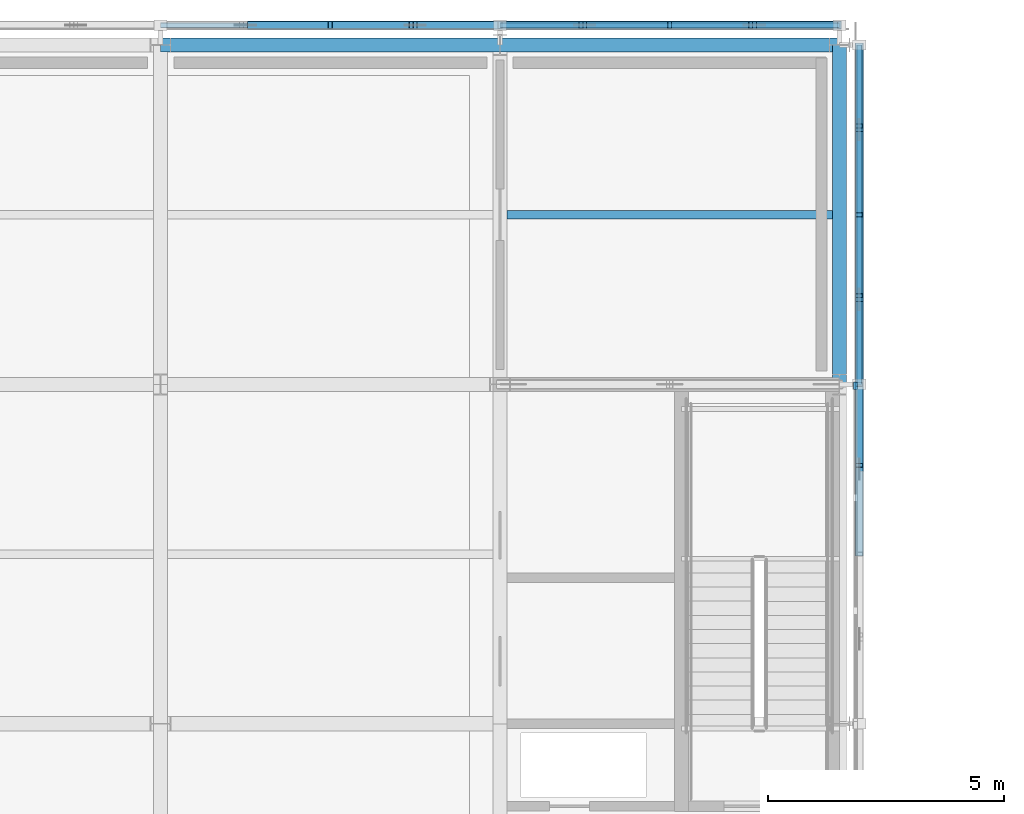
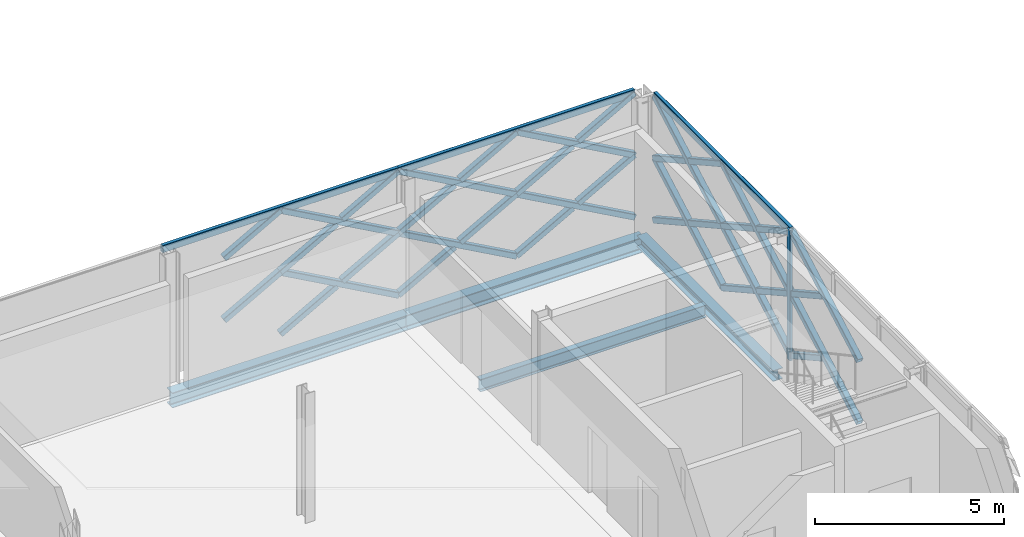
# One storey, part 66 of 146: 40 members, 4 beams, 1 element without a shape of its own.
"""IFC4 building model written with IfcOpenShell, lengths in metres."""

from ifc_helpers import new_model, si_unit, direction, frame, origin, origin_2d, place, context, subcontext, project, spatial, rectangle, hollow_rectangle, i_section, extrude, material, material_profile, profile_set, type_object, element, aggregate, save


model = new_model("IFC4")

# Units and contexts
model_context = context("Model", 3, precision=1e-05, world=origin(), true_north=direction((0.0, 1.0)))
body_context = subcontext(model_context, "Body", "Model", "MODEL_VIEW")
ifc_project = project(units=[si_unit("LENGTHUNIT", "METRE"), si_unit("AREAUNIT", "SQUARE_METRE"), si_unit("VOLUMEUNIT", "CUBIC_METRE"), si_unit("PLANEANGLEUNIT", "RADIAN"), si_unit("MASSUNIT", "GRAM", prefix="KILO")], contexts=[model_context])

# Site, building, storey
site_placement = place(None, origin())
site = spatial("IfcSite", under=ifc_project, at=site_placement, CompositionType="ELEMENT")
building_placement = place(site_placement, origin())
building = spatial("IfcBuilding", under=site, at=building_placement, Name="Zlatovets Crest Museum", CompositionType="ELEMENT")
storey_placement = place(building_placement, frame((0.0, 0.0, 4.5)))
storey = spatial("IfcBuildingStorey", under=building, at=storey_placement, Name="L01", CompositionType="ELEMENT", Elevation=4.5)

# Beams
ifc_material_1 = material(Name="Structural steel S355J2", Category="steel")
ifc_material_profile_1 = material_profile(ifc_material_1, i_section(OverallWidth=0.300048828125, OverallDepth=0.489990234375, WebThickness=0.011962890625, FlangeThickness=0.02294921875, FilletRadius=0.027099609375, at=origin_2d()), Name="HEA 500")
ifc_profile_set_1 = profile_set([ifc_material_profile_1], Name="Structural steel S355J2")
beam_type_1 = type_object("IfcBeamType", Name="Beam_B-01", PredefinedType="BEAM", material=ifc_profile_set_1)
for number, where, z_axis, x_axis, name in (
    (1, (93.60009765625, 115.199951171875, -0.465087890625), (1.0, 0.0, 0.0), (0.0, 1.0, 0.0), "V1 L01 Primary Girder B-01"),
    (2, (100.800048828125, 115.199951171875, -0.465087890625), (1.0, 0.0, 0.0), (0.0, 1.0, 0.0), "V1 L01 Primary Girder B-01"),
):
    element("IfcBeam", number, at=place(storey_placement, frame(where, z_axis=z_axis, x_axis=x_axis)), inside=storey, type_object=beam_type_1, Name=name, PredefinedType="BEAM", context=body_context, shape_type="SweptSolid", body=[
        extrude(i_section(OverallWidth=0.300048828125, OverallDepth=0.489990234375, WebThickness=0.011962890625, FlangeThickness=0.02294921875, FilletRadius=0.027099609375, at=origin_2d()), origin(), (0.0, 0.0, 1.0), 7.199951171875),
    ])
ifc_material_profile_2 = material_profile(ifc_material_1, i_section(OverallWidth=0.300048828125, OverallDepth=0.35009765625, WebThickness=0.010009765625, FlangeThickness=0.017578125, FilletRadius=0.027099609375, at=origin_2d()), Name="HEA 360")
ifc_profile_set_2 = profile_set([ifc_material_profile_2], Name="Structural steel S355J2")
beam_type_2 = type_object("IfcBeamType", Name="Beam_B-03", PredefinedType="BEAM", material=ifc_profile_set_2)
beam_1_placement = place(storey_placement, frame((108.0, 108.0, -0.39501953125), z_axis=(0.0, 1.0, 0.0), x_axis=(-1.0, 0.0, 0.0)))
element("IfcBeam", 3, at=beam_1_placement, inside=storey, type_object=beam_type_2, Name="V1 L01 Grid Beam B-03", PredefinedType="BEAM", context=body_context, shape_type="SweptSolid", body=[
    extrude(i_section(OverallWidth=0.300048828125, OverallDepth=0.35009765625, WebThickness=0.010009765625, FlangeThickness=0.017578125, FilletRadius=0.027099609375, at=origin_2d()), origin(), (0.0, 0.0, 1.0), 7.199951171875),
])
ifc_material_profile_3 = material_profile(ifc_material_1, i_section(OverallWidth=0.179931640625, OverallDepth=0.39990234375, WebThickness=0.008544921875, FlangeThickness=0.013427734375, FilletRadius=0.02099609375, at=origin_2d()), Name="IPE 400")
ifc_profile_set_3 = profile_set([ifc_material_profile_3], Name="Structural steel S355J2")
beam_type_3 = type_object("IfcBeamType", Name="Beam_J-04", PredefinedType="JOIST", material=ifc_profile_set_3)
beam_2_placement = place(storey_placement, frame((100.949951171875, 111.60009765625, -0.419921875), z_axis=(1.0, 0.0, 0.0), x_axis=(0.0, 1.0, 0.0)))
element("IfcBeam", 4, at=beam_2_placement, inside=storey, type_object=beam_type_3, Name="V1 L01 Composite Joist J-04", PredefinedType="JOIST", context=body_context, shape_type="SweptSolid", body=[
    extrude(i_section(OverallWidth=0.179931640625, OverallDepth=0.39990234375, WebThickness=0.008544921875, FlangeThickness=0.013427734375, FilletRadius=0.02099609375, at=origin_2d()), origin(), (0.0, 0.0, 1.0), 6.900146484375),
])

# Curtain wall, member
ifc_material_2 = material(Name="Bronze-anodised aluminium and low-E triple glass", Category="aluminium")
curtain_wall_type = type_object("IfcCurtainWallType", Name="CW_CW-V1-L01-M1", PredefinedType="NOTDEFINED", material=ifc_material_2)
curtain_wall_placement = place(storey_placement, origin())
curtain_wall = element("IfcCurtainWall", 5, at=curtain_wall_placement, inside=storey, type_object=curtain_wall_type, Name="V1 L01 Expressed Core Glazed Facade", PredefinedType="NOTDEFINED")
ifc_material_3 = material(Name="Bronze-anodised aluminium EN AW-6060", Category="aluminium")
ifc_material_profile_4 = material_profile(ifc_material_3, rectangle(XDim=0.080078125, YDim=0.159912109375, at=origin_2d()), Name="ALU 80x160")
ifc_profile_set_4 = profile_set([ifc_material_profile_4], Name="Bronze-anodised aluminium EN AW-6060")
member_type_1 = type_object("IfcMemberType", Name="CWMull_M1", PredefinedType="MULLION", material=ifc_profile_set_4)
member_1_placement = place(storey_placement, frame((108.340087890625, 107.969970703125, 0.0), z_axis=(0.0, 0.0, 1.0), x_axis=(-1.0, 0.0, 0.0)))
member_1 = element("IfcMember", 6, at=member_1_placement, type_object=member_type_1, Name="CW-V1-L01-M1 mullion 4", PredefinedType="MULLION", context=body_context, shape_type="SweptSolid", body=[
    extrude(rectangle(XDim=0.080078125, YDim=0.159912109375, at=origin_2d()), origin(), (0.0, 0.0, 1.0), 4.199951171875),
])
aggregate(curtain_wall, [member_1])

# Members
ifc_material_4 = material(Name="Weathering bronze-steel S355J2W", Category="steel")
ifc_material_profile_5 = material_profile(ifc_material_4, hollow_rectangle(XDim=0.179931640625, YDim=0.179931640625, WallThickness=0.010009765625, InnerFilletRadius=0.010009765625, OuterFilletRadius=0.02001953125, at=origin_2d()), Name="SHS 180x180x10.0")
ifc_profile_set_5 = profile_set([ifc_material_profile_5], Name="Weathering bronze-steel S355J2W")
member_type_2 = type_object("IfcMemberType", Name="Lattice_XL-01", PredefinedType="BRACE", material=ifc_profile_set_5)
member_2_placement = place(storey_placement, frame((108.419921875, 104.39990234375, 0.10009765625), z_axis=(0.0, 0.874162868644, 0.485632864501), x_axis=(-1.0, 0.0, 0.0)))
element("IfcMember", 7, at=member_2_placement, inside=storey, type_object=member_type_2, Name="Continuous Bronze Lattice Diagonal", PredefinedType="BRACE", context=body_context, shape_type="SweptSolid", body=[
    extrude(hollow_rectangle(XDim=0.179931640625, YDim=0.179931640625, WallThickness=0.010009765625, InnerFilletRadius=0.010009765625, OuterFilletRadius=0.02001953125, at=origin_2d()), origin(), (0.0, 0.0, 1.0), 4.118408203125),
])
member_3_placement = place(storey_placement, frame((108.419921875, 106.282958984375, 1.053955078125), z_axis=(0.0, 0.874169001841, -0.485621824284), x_axis=(-1.0, 0.0, 0.0)))
element("IfcMember", 8, at=member_3_placement, inside=storey, type_object=member_type_2, Name="Split Crossing Bronze Lattice Diagonal Lower", PredefinedType="BRACE", context=body_context, shape_type="SweptSolid", body=[
    extrude(hollow_rectangle(XDim=0.179931640625, YDim=0.179931640625, WallThickness=0.010009765625, InnerFilletRadius=0.010009765625, OuterFilletRadius=0.02001953125, at=origin_2d()), origin(), (0.0, 0.0, 1.0), 1.964111328125),
])
member_4_placement = place(storey_placement, frame((108.419921875, 104.39990234375, 2.10009765625), z_axis=(0.0, 0.874162868644, 0.485632864501), x_axis=(-1.0, 0.0, 0.0)))
element("IfcMember", 9, at=member_4_placement, inside=storey, type_object=member_type_2, Name="Continuous Bronze Lattice Diagonal", PredefinedType="BRACE", context=body_context, shape_type="SweptSolid", body=[
    extrude(hollow_rectangle(XDim=0.179931640625, YDim=0.179931640625, WallThickness=0.010009765625, InnerFilletRadius=0.010009765625, OuterFilletRadius=0.02001953125, at=origin_2d()), origin(), (0.0, 0.0, 1.0), 4.118408203125),
])
member_5_placement = place(storey_placement, frame((108.419921875, 106.282958984375, 3.053955078125), z_axis=(0.0, 0.874169001841, -0.485621824284), x_axis=(-1.0, 0.0, 0.0)))
element("IfcMember", 10, at=member_5_placement, inside=storey, type_object=member_type_2, Name="Split Crossing Bronze Lattice Diagonal Lower", PredefinedType="BRACE", context=body_context, shape_type="SweptSolid", body=[
    extrude(hollow_rectangle(XDim=0.179931640625, YDim=0.179931640625, WallThickness=0.010009765625, InnerFilletRadius=0.010009765625, OuterFilletRadius=0.02001953125, at=origin_2d()), origin(), (0.0, 0.0, 1.0), 1.964111328125),
])
member_6_placement = place(storey_placement, frame((108.419921875, 108.0, 0.10009765625), z_axis=(0.0, 0.874162868644, 0.485632864501), x_axis=(-1.0, 0.0, 0.0)))
element("IfcMember", 11, at=member_6_placement, inside=storey, type_object=member_type_2, Name="Continuous Bronze Lattice Diagonal", PredefinedType="BRACE", context=body_context, shape_type="SweptSolid", body=[
    extrude(hollow_rectangle(XDim=0.179931640625, YDim=0.179931640625, WallThickness=0.010009765625, InnerFilletRadius=0.010009765625, OuterFilletRadius=0.02001953125, at=origin_2d()), origin(), (0.0, 0.0, 1.0), 4.118408203125),
])
member_7_placement = place(storey_placement, frame((108.419921875, 108.0, 2.10009765625), z_axis=(0.0, 0.874116234569, -0.48571679862), x_axis=(-1.0, 0.0, 0.0)))
element("IfcMember", 12, at=member_7_placement, inside=storey, type_object=member_type_2, Name="Split Crossing Bronze Lattice Diagonal Upper", PredefinedType="BRACE", context=body_context, shape_type="SweptSolid", body=[
    extrude(hollow_rectangle(XDim=0.179931640625, YDim=0.179931640625, WallThickness=0.010009765625, InnerFilletRadius=0.010009765625, OuterFilletRadius=0.02001953125, at=origin_2d()), origin(), (0.0, 0.0, 1.0), 1.96435546875),
])
member_8_placement = place(storey_placement, frame((108.419921875, 109.883056640625, 1.053955078125), z_axis=(0.0, 0.874169001841, -0.485621824284), x_axis=(-1.0, 0.0, 0.0)))
element("IfcMember", 13, at=member_8_placement, inside=storey, type_object=member_type_2, Name="Split Crossing Bronze Lattice Diagonal Lower", PredefinedType="BRACE", context=body_context, shape_type="SweptSolid", body=[
    extrude(hollow_rectangle(XDim=0.179931640625, YDim=0.179931640625, WallThickness=0.010009765625, InnerFilletRadius=0.010009765625, OuterFilletRadius=0.02001953125, at=origin_2d()), origin(), (0.0, 0.0, 1.0), 1.964111328125),
])
member_9_placement = place(storey_placement, frame((108.419921875, 111.60009765625, 0.10009765625), z_axis=(0.0, 0.874148886685, 0.485658031857), x_axis=(-1.0, 0.0, 0.0)))
element("IfcMember", 14, at=member_9_placement, inside=storey, type_object=member_type_2, Name="Continuous Bronze Lattice Diagonal", PredefinedType="BRACE", context=body_context, shape_type="SweptSolid", body=[
    extrude(hollow_rectangle(XDim=0.179931640625, YDim=0.179931640625, WallThickness=0.010009765625, InnerFilletRadius=0.010009765625, OuterFilletRadius=0.02001953125, at=origin_2d()), origin(), (0.0, 0.0, 1.0), 4.1181640625),
])
for number, where, z_axis, x_axis, name in (
    (15, (108.419921875, 111.60009765625, 2.10009765625), (0.0, 0.874086907708, -0.485769572713), (-1.0, 0.0, 0.0), "Split Crossing Bronze Lattice Diagonal Upper"),
    (16, (108.419921875, 113.48291015625, 1.053955078125), (0.0, 0.874169001841, -0.485621824284), (-1.0, 0.0, 0.0), "Split Crossing Bronze Lattice Diagonal Lower"),
):
    element("IfcMember", number, at=place(storey_placement, frame(where, z_axis=z_axis, x_axis=x_axis)), inside=storey, type_object=member_type_2, Name=name, PredefinedType="BRACE", context=body_context, shape_type="SweptSolid", body=[
        extrude(hollow_rectangle(XDim=0.179931640625, YDim=0.179931640625, WallThickness=0.010009765625, InnerFilletRadius=0.010009765625, OuterFilletRadius=0.02001953125, at=origin_2d()), origin(), (0.0, 0.0, 1.0), 1.964111328125),
    ])
member_10_placement = place(storey_placement, frame((108.419921875, 108.0, 2.10009765625), z_axis=(0.0, 0.874162868644, 0.485632864501), x_axis=(-1.0, 0.0, 0.0)))
element("IfcMember", 17, at=member_10_placement, inside=storey, type_object=member_type_2, Name="Continuous Bronze Lattice Diagonal", PredefinedType="BRACE", context=body_context, shape_type="SweptSolid", body=[
    extrude(hollow_rectangle(XDim=0.179931640625, YDim=0.179931640625, WallThickness=0.010009765625, InnerFilletRadius=0.010009765625, OuterFilletRadius=0.02001953125, at=origin_2d()), origin(), (0.0, 0.0, 1.0), 4.118408203125),
])
member_11_placement = place(storey_placement, frame((108.419921875, 108.0, 4.10009765625), z_axis=(0.0, 0.874116234569, -0.48571679862), x_axis=(-1.0, 0.0, 0.0)))
element("IfcMember", 18, at=member_11_placement, inside=storey, type_object=member_type_2, Name="Split Crossing Bronze Lattice Diagonal Upper", PredefinedType="BRACE", context=body_context, shape_type="SweptSolid", body=[
    extrude(hollow_rectangle(XDim=0.179931640625, YDim=0.179931640625, WallThickness=0.010009765625, InnerFilletRadius=0.010009765625, OuterFilletRadius=0.02001953125, at=origin_2d()), origin(), (0.0, 0.0, 1.0), 1.96435546875),
])
member_12_placement = place(storey_placement, frame((108.419921875, 109.883056640625, 3.053955078125), z_axis=(0.0, 0.874169001841, -0.485621824284), x_axis=(-1.0, 0.0, 0.0)))
element("IfcMember", 19, at=member_12_placement, inside=storey, type_object=member_type_2, Name="Split Crossing Bronze Lattice Diagonal Lower", PredefinedType="BRACE", context=body_context, shape_type="SweptSolid", body=[
    extrude(hollow_rectangle(XDim=0.179931640625, YDim=0.179931640625, WallThickness=0.010009765625, InnerFilletRadius=0.010009765625, OuterFilletRadius=0.02001953125, at=origin_2d()), origin(), (0.0, 0.0, 1.0), 1.964111328125),
])
member_13_placement = place(storey_placement, frame((108.419921875, 111.60009765625, 2.10009765625), z_axis=(0.0, 0.874148886685, 0.485658031857), x_axis=(-1.0, 0.0, 0.0)))
element("IfcMember", 20, at=member_13_placement, inside=storey, type_object=member_type_2, Name="Continuous Bronze Lattice Diagonal", PredefinedType="BRACE", context=body_context, shape_type="SweptSolid", body=[
    extrude(hollow_rectangle(XDim=0.179931640625, YDim=0.179931640625, WallThickness=0.010009765625, InnerFilletRadius=0.010009765625, OuterFilletRadius=0.02001953125, at=origin_2d()), origin(), (0.0, 0.0, 1.0), 4.1181640625),
])
for number, where, z_axis, x_axis, name in (
    (21, (108.419921875, 111.60009765625, 4.10009765625), (0.0, 0.874086907708, -0.485769572713), (-1.0, 0.0, 0.0), "Split Crossing Bronze Lattice Diagonal Upper"),
    (22, (108.419921875, 113.48291015625, 3.053955078125), (0.0, 0.874169001841, -0.485621824284), (-1.0, 0.0, 0.0), "Split Crossing Bronze Lattice Diagonal Lower"),
):
    element("IfcMember", number, at=place(storey_placement, frame(where, z_axis=z_axis, x_axis=x_axis)), inside=storey, type_object=member_type_2, Name=name, PredefinedType="BRACE", context=body_context, shape_type="SweptSolid", body=[
        extrude(hollow_rectangle(XDim=0.179931640625, YDim=0.179931640625, WallThickness=0.010009765625, InnerFilletRadius=0.010009765625, OuterFilletRadius=0.02001953125, at=origin_2d()), origin(), (0.0, 0.0, 1.0), 1.964111328125),
    ])
member_14_placement = place(storey_placement, frame((108.0, 115.6201171875, 0.10009765625), z_axis=(-0.874162868644, 0.0, 0.485632864501), x_axis=(0.0, -1.0, 0.0)))
element("IfcMember", 23, at=member_14_placement, inside=storey, type_object=member_type_2, Name="Continuous Bronze Lattice Diagonal", PredefinedType="BRACE", context=body_context, shape_type="SweptSolid", body=[
    extrude(hollow_rectangle(XDim=0.179931640625, YDim=0.179931640625, WallThickness=0.010009765625, InnerFilletRadius=0.010009765625, OuterFilletRadius=0.02001953125, at=origin_2d()), origin(), (0.0, 0.0, 1.0), 4.118408203125),
])
member_15_placement = place(storey_placement, frame((108.0, 115.6201171875, 2.10009765625), z_axis=(-0.874116234569, 0.0, -0.48571679862), x_axis=(0.0, -1.0, 0.0)))
element("IfcMember", 24, at=member_15_placement, inside=storey, type_object=member_type_2, Name="Split Crossing Bronze Lattice Diagonal Upper", PredefinedType="BRACE", context=body_context, shape_type="SweptSolid", body=[
    extrude(hollow_rectangle(XDim=0.179931640625, YDim=0.179931640625, WallThickness=0.010009765625, InnerFilletRadius=0.010009765625, OuterFilletRadius=0.02001953125, at=origin_2d()), origin(), (0.0, 0.0, 1.0), 1.96435546875),
])
member_16_placement = place(storey_placement, frame((106.116943359375, 115.6201171875, 1.053955078125), z_axis=(-0.874169001841, 0.0, -0.485621824284), x_axis=(0.0, -1.0, 0.0)))
element("IfcMember", 25, at=member_16_placement, inside=storey, type_object=member_type_2, Name="Split Crossing Bronze Lattice Diagonal Lower", PredefinedType="BRACE", context=body_context, shape_type="SweptSolid", body=[
    extrude(hollow_rectangle(XDim=0.179931640625, YDim=0.179931640625, WallThickness=0.010009765625, InnerFilletRadius=0.010009765625, OuterFilletRadius=0.02001953125, at=origin_2d()), origin(), (0.0, 0.0, 1.0), 1.964111328125),
])
member_17_placement = place(storey_placement, frame((104.39990234375, 115.6201171875, 0.10009765625), z_axis=(-0.874148886685, 0.0, 0.485658031857), x_axis=(0.0, -1.0, 0.0)))
element("IfcMember", 26, at=member_17_placement, inside=storey, type_object=member_type_2, Name="Continuous Bronze Lattice Diagonal", PredefinedType="BRACE", context=body_context, shape_type="SweptSolid", body=[
    extrude(hollow_rectangle(XDim=0.179931640625, YDim=0.179931640625, WallThickness=0.010009765625, InnerFilletRadius=0.010009765625, OuterFilletRadius=0.02001953125, at=origin_2d()), origin(), (0.0, 0.0, 1.0), 4.1181640625),
])
for number, where, z_axis, x_axis, name in (
    (27, (104.39990234375, 115.6201171875, 2.10009765625), (-0.874086907708, 0.0, -0.485769572713), (0.0, -1.0, 0.0), "Split Crossing Bronze Lattice Diagonal Upper"),
    (28, (102.51708984375, 115.6201171875, 1.053955078125), (-0.874169001841, 0.0, -0.485621824284), (0.0, -1.0, 0.0), "Split Crossing Bronze Lattice Diagonal Lower"),
):
    element("IfcMember", number, at=place(storey_placement, frame(where, z_axis=z_axis, x_axis=x_axis)), inside=storey, type_object=member_type_2, Name=name, PredefinedType="BRACE", context=body_context, shape_type="SweptSolid", body=[
        extrude(hollow_rectangle(XDim=0.179931640625, YDim=0.179931640625, WallThickness=0.010009765625, InnerFilletRadius=0.010009765625, OuterFilletRadius=0.02001953125, at=origin_2d()), origin(), (0.0, 0.0, 1.0), 1.964111328125),
    ])
member_18_placement = place(storey_placement, frame((108.0, 115.6201171875, 2.10009765625), z_axis=(-0.874162868644, 0.0, 0.485632864501), x_axis=(0.0, -1.0, 0.0)))
element("IfcMember", 29, at=member_18_placement, inside=storey, type_object=member_type_2, Name="Continuous Bronze Lattice Diagonal", PredefinedType="BRACE", context=body_context, shape_type="SweptSolid", body=[
    extrude(hollow_rectangle(XDim=0.179931640625, YDim=0.179931640625, WallThickness=0.010009765625, InnerFilletRadius=0.010009765625, OuterFilletRadius=0.02001953125, at=origin_2d()), origin(), (0.0, 0.0, 1.0), 4.118408203125),
])
member_19_placement = place(storey_placement, frame((108.0, 115.6201171875, 4.10009765625), z_axis=(-0.874116234569, 0.0, -0.48571679862), x_axis=(0.0, -1.0, 0.0)))
element("IfcMember", 30, at=member_19_placement, inside=storey, type_object=member_type_2, Name="Split Crossing Bronze Lattice Diagonal Upper", PredefinedType="BRACE", context=body_context, shape_type="SweptSolid", body=[
    extrude(hollow_rectangle(XDim=0.179931640625, YDim=0.179931640625, WallThickness=0.010009765625, InnerFilletRadius=0.010009765625, OuterFilletRadius=0.02001953125, at=origin_2d()), origin(), (0.0, 0.0, 1.0), 1.96435546875),
])
member_20_placement = place(storey_placement, frame((106.116943359375, 115.6201171875, 3.053955078125), z_axis=(-0.874169001841, 0.0, -0.485621824284), x_axis=(0.0, -1.0, 0.0)))
element("IfcMember", 31, at=member_20_placement, inside=storey, type_object=member_type_2, Name="Split Crossing Bronze Lattice Diagonal Lower", PredefinedType="BRACE", context=body_context, shape_type="SweptSolid", body=[
    extrude(hollow_rectangle(XDim=0.179931640625, YDim=0.179931640625, WallThickness=0.010009765625, InnerFilletRadius=0.010009765625, OuterFilletRadius=0.02001953125, at=origin_2d()), origin(), (0.0, 0.0, 1.0), 1.964111328125),
])
member_21_placement = place(storey_placement, frame((104.39990234375, 115.6201171875, 2.10009765625), z_axis=(-0.874148886685, 0.0, 0.485658031857), x_axis=(0.0, -1.0, 0.0)))
element("IfcMember", 32, at=member_21_placement, inside=storey, type_object=member_type_2, Name="Continuous Bronze Lattice Diagonal", PredefinedType="BRACE", context=body_context, shape_type="SweptSolid", body=[
    extrude(hollow_rectangle(XDim=0.179931640625, YDim=0.179931640625, WallThickness=0.010009765625, InnerFilletRadius=0.010009765625, OuterFilletRadius=0.02001953125, at=origin_2d()), origin(), (0.0, 0.0, 1.0), 4.1181640625),
])
for number, where, z_axis, x_axis, name in (
    (33, (104.39990234375, 115.6201171875, 4.10009765625), (-0.874086907708, 0.0, -0.485769572713), (0.0, -1.0, 0.0), "Split Crossing Bronze Lattice Diagonal Upper"),
    (34, (102.51708984375, 115.6201171875, 3.053955078125), (-0.874169001841, 0.0, -0.485621824284), (0.0, -1.0, 0.0), "Split Crossing Bronze Lattice Diagonal Lower"),
):
    element("IfcMember", number, at=place(storey_placement, frame(where, z_axis=z_axis, x_axis=x_axis)), inside=storey, type_object=member_type_2, Name=name, PredefinedType="BRACE", context=body_context, shape_type="SweptSolid", body=[
        extrude(hollow_rectangle(XDim=0.179931640625, YDim=0.179931640625, WallThickness=0.010009765625, InnerFilletRadius=0.010009765625, OuterFilletRadius=0.02001953125, at=origin_2d()), origin(), (0.0, 0.0, 1.0), 1.964111328125),
    ])
member_22_placement = place(storey_placement, frame((100.800048828125, 115.6201171875, 0.10009765625), z_axis=(-0.874162868644, 0.0, 0.485632864501), x_axis=(0.0, -1.0, 0.0)))
element("IfcMember", 35, at=member_22_placement, inside=storey, type_object=member_type_2, Name="Continuous Bronze Lattice Diagonal", PredefinedType="BRACE", context=body_context, shape_type="SweptSolid", body=[
    extrude(hollow_rectangle(XDim=0.179931640625, YDim=0.179931640625, WallThickness=0.010009765625, InnerFilletRadius=0.010009765625, OuterFilletRadius=0.02001953125, at=origin_2d()), origin(), (0.0, 0.0, 1.0), 4.118408203125),
])
member_23_placement = place(storey_placement, frame((100.800048828125, 115.6201171875, 2.10009765625), z_axis=(-0.874116234569, 0.0, -0.48571679862), x_axis=(0.0, -1.0, 0.0)))
element("IfcMember", 36, at=member_23_placement, inside=storey, type_object=member_type_2, Name="Split Crossing Bronze Lattice Diagonal Upper", PredefinedType="BRACE", context=body_context, shape_type="SweptSolid", body=[
    extrude(hollow_rectangle(XDim=0.179931640625, YDim=0.179931640625, WallThickness=0.010009765625, InnerFilletRadius=0.010009765625, OuterFilletRadius=0.02001953125, at=origin_2d()), origin(), (0.0, 0.0, 1.0), 1.96435546875),
])
member_24_placement = place(storey_placement, frame((98.9169921875, 115.6201171875, 1.053955078125), z_axis=(-0.874169001841, 0.0, -0.485621824284), x_axis=(0.0, -1.0, 0.0)))
element("IfcMember", 37, at=member_24_placement, inside=storey, type_object=member_type_2, Name="Split Crossing Bronze Lattice Diagonal Lower", PredefinedType="BRACE", context=body_context, shape_type="SweptSolid", body=[
    extrude(hollow_rectangle(XDim=0.179931640625, YDim=0.179931640625, WallThickness=0.010009765625, InnerFilletRadius=0.010009765625, OuterFilletRadius=0.02001953125, at=origin_2d()), origin(), (0.0, 0.0, 1.0), 1.964111328125),
])
member_25_placement = place(storey_placement, frame((97.199951171875, 115.6201171875, 2.10009765625), z_axis=(-0.874116234569, 0.0, -0.48571679862), x_axis=(0.0, -1.0, 0.0)))
element("IfcMember", 38, at=member_25_placement, inside=storey, type_object=member_type_2, Name="Split Crossing Bronze Lattice Diagonal Upper", PredefinedType="BRACE", context=body_context, shape_type="SweptSolid", body=[
    extrude(hollow_rectangle(XDim=0.179931640625, YDim=0.179931640625, WallThickness=0.010009765625, InnerFilletRadius=0.010009765625, OuterFilletRadius=0.02001953125, at=origin_2d()), origin(), (0.0, 0.0, 1.0), 1.96435546875),
])
member_26_placement = place(storey_placement, frame((100.800048828125, 115.6201171875, 2.10009765625), z_axis=(-0.874162868644, 0.0, 0.485632864501), x_axis=(0.0, -1.0, 0.0)))
element("IfcMember", 39, at=member_26_placement, inside=storey, type_object=member_type_2, Name="Continuous Bronze Lattice Diagonal", PredefinedType="BRACE", context=body_context, shape_type="SweptSolid", body=[
    extrude(hollow_rectangle(XDim=0.179931640625, YDim=0.179931640625, WallThickness=0.010009765625, InnerFilletRadius=0.010009765625, OuterFilletRadius=0.02001953125, at=origin_2d()), origin(), (0.0, 0.0, 1.0), 4.118408203125),
])
member_27_placement = place(storey_placement, frame((100.800048828125, 115.6201171875, 4.10009765625), z_axis=(-0.874116234569, 0.0, -0.48571679862), x_axis=(0.0, -1.0, 0.0)))
element("IfcMember", 40, at=member_27_placement, inside=storey, type_object=member_type_2, Name="Split Crossing Bronze Lattice Diagonal Upper", PredefinedType="BRACE", context=body_context, shape_type="SweptSolid", body=[
    extrude(hollow_rectangle(XDim=0.179931640625, YDim=0.179931640625, WallThickness=0.010009765625, InnerFilletRadius=0.010009765625, OuterFilletRadius=0.02001953125, at=origin_2d()), origin(), (0.0, 0.0, 1.0), 1.96435546875),
])
member_28_placement = place(storey_placement, frame((98.9169921875, 115.6201171875, 3.053955078125), z_axis=(-0.874169001841, 0.0, -0.485621824284), x_axis=(0.0, -1.0, 0.0)))
element("IfcMember", 41, at=member_28_placement, inside=storey, type_object=member_type_2, Name="Split Crossing Bronze Lattice Diagonal Lower", PredefinedType="BRACE", context=body_context, shape_type="SweptSolid", body=[
    extrude(hollow_rectangle(XDim=0.179931640625, YDim=0.179931640625, WallThickness=0.010009765625, InnerFilletRadius=0.010009765625, OuterFilletRadius=0.02001953125, at=origin_2d()), origin(), (0.0, 0.0, 1.0), 1.964111328125),
])
member_29_placement = place(storey_placement, frame((97.199951171875, 115.6201171875, 4.10009765625), z_axis=(-0.874116234569, 0.0, -0.48571679862), x_axis=(0.0, -1.0, 0.0)))
element("IfcMember", 42, at=member_29_placement, inside=storey, type_object=member_type_2, Name="Split Crossing Bronze Lattice Diagonal Upper", PredefinedType="BRACE", context=body_context, shape_type="SweptSolid", body=[
    extrude(hollow_rectangle(XDim=0.179931640625, YDim=0.179931640625, WallThickness=0.010009765625, InnerFilletRadius=0.010009765625, OuterFilletRadius=0.02001953125, at=origin_2d()), origin(), (0.0, 0.0, 1.0), 1.96435546875),
])
ifc_material_profile_6 = material_profile(ifc_material_4, hollow_rectangle(XDim=0.1201171875, YDim=0.239990234375, WallThickness=0.010009765625, InnerFilletRadius=0.010009765625, OuterFilletRadius=0.02001953125, at=origin_2d()), Name="RHS 120x240x10.0")
ifc_profile_set_6 = profile_set([ifc_material_profile_6], Name="Weathering bronze-steel S355J2W")
member_type_3 = type_object("IfcMemberType", Name="Lattice_XL-04", PredefinedType="CHORD", material=ifc_profile_set_6)
for number, where, z_axis, x_axis, name in (
    (43, (108.419921875, 108.0, 4.10009765625), (0.0, 1.0, 0.0), (-1.0, 0.0, 0.0), "Art Nouveau Woven Cage Collector Ring Chord"),
    (44, (108.0, 115.6201171875, 4.10009765625), (-1.0, 0.0, 0.0), (0.0, -1.0, 0.0), "Art Nouveau Woven Cage Collector Ring Chord"),
    (45, (100.800048828125, 115.6201171875, 4.10009765625), (-1.0, 0.0, 0.0), (0.0, -1.0, 0.0), "Art Nouveau Woven Cage Collector Ring Chord"),
):
    element("IfcMember", number, at=place(storey_placement, frame(where, z_axis=z_axis, x_axis=x_axis)), inside=storey, type_object=member_type_3, Name=name, PredefinedType="CHORD", context=body_context, shape_type="SweptSolid", body=[
        extrude(hollow_rectangle(XDim=0.1201171875, YDim=0.239990234375, WallThickness=0.010009765625, InnerFilletRadius=0.010009765625, OuterFilletRadius=0.02001953125, at=origin_2d()), origin(), (0.0, 0.0, 1.0), 7.199951171875),
    ])

save(model, "model.ifc")
